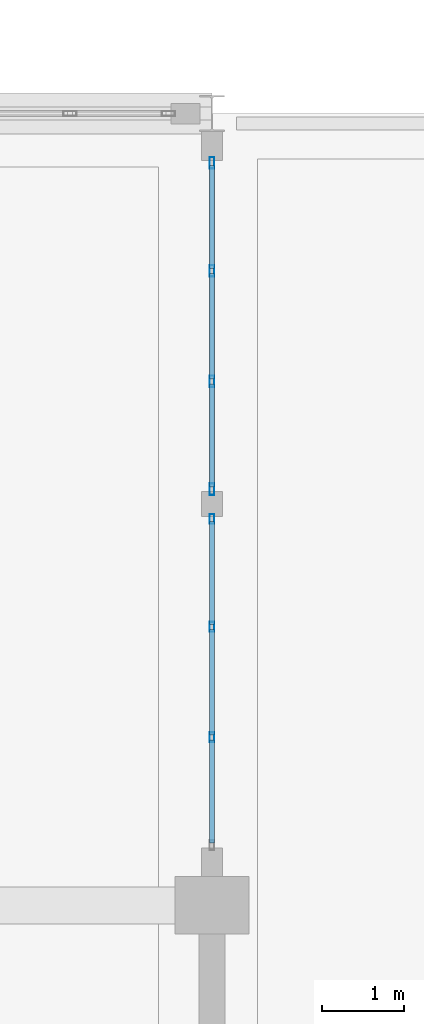
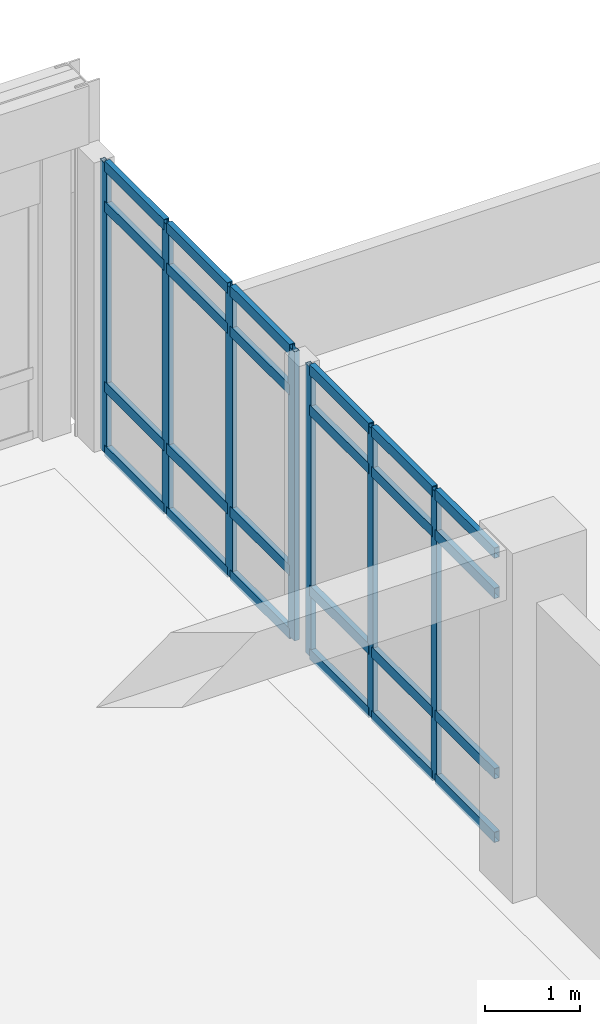
# One storey, part 49 of 80: 31 members, 2 elements without a shape of their own.
"""IFC4 building model written with IfcOpenShell, lengths in metres."""

import ifcopenshell
import ifcopenshell.guid

model = None  # the IFC model being written
_history = None  # IfcOwnerHistory: only IFC2X3 demands one
_inside = {}  # id of a spatial element -> (the spatial element, [elements in it])
_under = {}  # id of a project, library or spatial element -> (it, [spatial elements below it])
_declared = {}  # id of a project -> (the project, [libraries it declares])
_typed = {}  # id of a type object -> (the type object, [elements of that type])
_made_of = {}  # id of a material, layer set ... -> (it, [elements and type objects made of it])


def new_model(schema):
    """Start an empty IFC model of exactly this schema.

    Asked for "IFC4X3", IfcOpenShell would pick the latest addendum, in which some entities
    have other attributes; the version numbers below select the first issue.
    IFC2X3 requires an IfcOwnerHistory on every rooted entity: one is made here for all.
    """
    global model, _history
    if schema == "IFC4X3":
        model = ifcopenshell.file(schema_version=(4, 3, 0, 0))
    else:
        model = ifcopenshell.file(schema=schema)
    _inside.clear()
    _under.clear()
    _declared.clear()
    _typed.clear()
    _made_of.clear()
    _history = None
    if model.schema == "IFC2X3":
        org = make("IfcOrganization", Name="unknown")
        user = make(
            "IfcPersonAndOrganization",
            ThePerson=make("IfcPerson", FamilyName="unknown"),
            TheOrganization=org,
        )
        app = make(
            "IfcApplication",
            ApplicationDeveloper=org,
            Version="unknown",
            ApplicationFullName="unknown",
            ApplicationIdentifier="unknown",
        )
        _history = make(
            "IfcOwnerHistory",
            OwningUser=user,
            OwningApplication=app,
            ChangeAction="ADDED",
            CreationDate=0,
        )
    return model


def make(cls, **values):
    """One entity of the class cls with the attributes given. An attribute that is None is left unset."""
    return model.create_entity(
        cls, **{name: value for name, value in values.items() if value is not None}
    )


def rooted(cls, **values):
    """An entity with a GlobalId (a new one), such as an element, a storey or a relation."""
    return make(cls, GlobalId=ifcopenshell.guid.new(), OwnerHistory=_history, **values)


def si_unit(unit_type, name, prefix=None):
    """IfcSIUnit, for example si_unit("LENGTHUNIT", "METRE", prefix="MILLI")."""
    return make("IfcSIUnit", UnitType=unit_type, Prefix=prefix, Name=name)


def assignment(units):
    """IfcUnitAssignment: the units of a project."""
    return None if units is None else make("IfcUnitAssignment", Units=units)


def point(xyz):
    """IfcCartesianPoint."""
    return None if xyz is None else make("IfcCartesianPoint", Coordinates=xyz)


def direction(xyz):
    """IfcDirection."""
    return None if xyz is None else make("IfcDirection", DirectionRatios=xyz)


def frame(location, z_axis=None, x_axis=None):
    """IfcAxis2Placement3D, a coordinate frame: its origin and axes. An axis left out is left unset."""
    return make(
        "IfcAxis2Placement3D",
        Location=point(location),
        Axis=direction(z_axis),
        RefDirection=direction(x_axis),
    )


def frame_2d(location, x_axis=None):
    """IfcAxis2Placement2D, a coordinate frame in the plane: its origin and x axis."""
    return make(
        "IfcAxis2Placement2D", Location=point(location), RefDirection=direction(x_axis)
    )


def origin():
    """The frame at (0, 0, 0) with its axes left unset."""
    return frame((0.0, 0.0, 0.0))


def origin_2d():
    """The frame at (0, 0) in the plane with its x axis left unset."""
    return frame_2d((0.0, 0.0))


def place(relative_to, where):
    """IfcLocalPlacement: puts the frame where relative to a parent placement (None: the world)."""
    return make(
        "IfcLocalPlacement", PlacementRelTo=relative_to, RelativePlacement=where
    )


def context(
    kind, dimensions, precision=None, world=None, true_north=None, identifier=None
):
    """IfcGeometricRepresentationContext, for example the 3D "Model" context."""
    return make(
        "IfcGeometricRepresentationContext",
        ContextIdentifier=identifier,
        ContextType=kind,
        CoordinateSpaceDimension=dimensions,
        Precision=precision,
        WorldCoordinateSystem=world,
        TrueNorth=true_north,
    )


def subcontext(parent, identifier, kind, view, scale=None):
    """IfcGeometricRepresentationSubContext, for example "Body" below "Model"."""
    return make(
        "IfcGeometricRepresentationSubContext",
        ContextIdentifier=identifier,
        ContextType=kind,
        ParentContext=parent,
        TargetScale=scale,
        TargetView=view,
    )


def project(units=None, contexts=None):
    """IfcProject with its units and contexts."""
    return rooted(
        "IfcProject",
        Name="project",
        RepresentationContexts=contexts,
        UnitsInContext=assignment(units),
    )


def spatial(cls, under=None, at=None, **own):
    """A site, building, storey or space (cls), placed at a placement, below another one or the project."""
    s = rooted(cls, ObjectPlacement=at, **own)
    if under is not None:
        _under.setdefault(under.id(), (under, []))[1].append(s)
    return s


def profile(cls, at=None, kind="AREA", **sizes):
    """A parametric profile (cls). Its sizes go by their IFC names, for example OverallWidth=200.0."""
    return make(cls, ProfileType=kind, Position=at, **sizes)


def hollow_rectangle(**sizes):
    """IfcRectangleHollowProfileDef."""
    return profile("IfcRectangleHollowProfileDef", **sizes)


def extrude(swept, where, along, depth):
    """IfcExtrudedAreaSolid: the profile swept, set in the frame where, extruded along a direction by depth."""
    return make(
        "IfcExtrudedAreaSolid",
        SweptArea=swept,
        Position=where,
        ExtrudedDirection=direction(along),
        Depth=depth,
    )


def shape(context_of_items, identifier, shape_type, items):
    """IfcShapeRepresentation: the items that make up one representation, for example the "Body"."""
    return make(
        "IfcShapeRepresentation",
        ContextOfItems=context_of_items,
        RepresentationIdentifier=identifier,
        RepresentationType=shape_type,
        Items=items,
    )


def material(Name=None, Category=None):
    """IfcMaterial."""
    return make("IfcMaterial", Name=Name, Category=Category)


def layer(
    of_material, thickness, ventilated=None, Name=None, Category=None, Priority=None
):
    """IfcMaterialLayer: one layer of a wall or slab, of a material (None: an air gap)."""
    return make(
        "IfcMaterialLayer",
        Material=of_material,
        LayerThickness=thickness,
        IsVentilated=ventilated,
        Name=Name,
        Category=Category,
        Priority=Priority,
    )


def layer_set(layers, Name=None):
    """IfcMaterialLayerSet."""
    return make("IfcMaterialLayerSet", MaterialLayers=layers, LayerSetName=Name)


def material_profile(
    of_material, cross_section, Name=None, Category=None, Priority=None
):
    """IfcMaterialProfile: a cross section and its material."""
    return make(
        "IfcMaterialProfile",
        Name=Name,
        Material=of_material,
        Profile=cross_section,
        Priority=Priority,
        Category=Category,
    )


def profile_set(profiles, Name=None, composite=None):
    """IfcMaterialProfileSet."""
    return make(
        "IfcMaterialProfileSet",
        Name=Name,
        MaterialProfiles=profiles,
        CompositeProfile=composite,
    )


def made_of(thing, what):
    """Note that an element or type object is made of a material, layer set ...; save() writes the relation."""
    if what is not None:
        _made_of.setdefault(what.id(), (what, []))[1].append(thing)
    return thing


def type_object(cls, material=None, **own):
    """A type object (cls), such as IfcWallType, which elements share."""
    return made_of(rooted(cls, **own), material)


def element(
    cls,
    number,
    at=None,
    inside=None,
    cuts=None,
    type_object=None,
    material=None,
    context=None,
    identifier="Body",
    shape_type=None,
    held_by="IfcProductDefinitionShape",
    body=None,
    shapes=None,
    **own,
):
    """One element of the class cls, such as IfcWall. Its Tag is "e" and its number.

    at: its placement. inside: the storey or other place that contains it. cuts: it is an
    opening in that element (IfcRelVoidsElement). A single representation is given by context,
    identifier, shape_type and body (its items); several are given by shapes. held_by: the class
    of the entity that holds the representations. save() writes the other relations.
    """
    e = rooted(cls, Tag="e%d" % number, ObjectPlacement=at, **own)
    if body is not None:
        shapes = [shape(context, identifier, shape_type, body)]
    if shapes is not None:
        e.Representation = make(held_by, Representations=shapes)
    if inside is not None:
        _inside.setdefault(inside.id(), (inside, []))[1].append(e)
    if cuts is not None:
        rooted(
            "IfcRelVoidsElement", RelatingBuildingElement=cuts, RelatedOpeningElement=e
        )
    if type_object is not None:
        _typed.setdefault(type_object.id(), (type_object, []))[1].append(e)
    return made_of(e, material)


def aggregate(whole, parts):
    """IfcRelAggregates: a whole, such as a stair, and the parts it consists of."""
    return rooted("IfcRelAggregates", RelatingObject=whole, RelatedObjects=parts)


def save(model, path):
    """Write the relations noted so far, then the file.

    IfcRelAggregates (storeys below a building ...), IfcRelContainedInSpatialStructure (elements
    in a storey), IfcRelDefinesByType, IfcRelAssociatesMaterial and IfcRelDeclares: one each for
    every whole, place, type object, material and project.
    """
    for whole, parts in _under.values():
        aggregate(whole, parts)
    for where, things in _inside.values():
        rooted(
            "IfcRelContainedInSpatialStructure",
            RelatedElements=things,
            RelatingStructure=where,
        )
    for kind, things in _typed.values():
        rooted("IfcRelDefinesByType", RelatedObjects=things, RelatingType=kind)
    for what, things in _made_of.values():
        rooted("IfcRelAssociatesMaterial", RelatedObjects=things, RelatingMaterial=what)
    for by, libraries in _declared.values():
        rooted("IfcRelDeclares", RelatingContext=by, RelatedDefinitions=libraries)
    model.write(path)


model = new_model("IFC4")

# Units and contexts
model_context = context("Model", 3, precision=1e-05, world=origin(), true_north=direction((0.0, 1.0)))
body_context = subcontext(model_context, "Body", "Model", "MODEL_VIEW")
ifc_project = project(units=[si_unit("LENGTHUNIT", "METRE"), si_unit("AREAUNIT", "SQUARE_METRE"), si_unit("VOLUMEUNIT", "CUBIC_METRE"), si_unit("PLANEANGLEUNIT", "RADIAN"), si_unit("MASSUNIT", "GRAM", prefix="KILO")], contexts=[model_context])

# Site, building, storey
site_placement = place(None, origin())
site = spatial("IfcSite", under=ifc_project, at=site_placement, CompositionType="ELEMENT")
building_placement = place(site_placement, origin())
building = spatial("IfcBuilding", under=site, at=building_placement, Name="Fikremerkos Civic Library", CompositionType="ELEMENT")
storey_placement = place(building_placement, frame((0.0, 0.0, 9.89990234375)))
storey = spatial("IfcBuildingStorey", under=building, at=storey_placement, Name="L02", CompositionType="ELEMENT", Elevation=9.89990234375)

# Curtain wall, members
ifc_material = material(Name="Anodized aluminium Frame", Category="aluminium")
ifc_layer_1 = layer(ifc_material, 0.159912109375, Name="Anodized aluminium Frame")
ifc_layer_set_1 = layer_set([ifc_layer_1], Name="Anodized aluminium Frame")
curtain_wall_type_1 = type_object("IfcCurtainWallType", Name="Unitised curtain wall CW-03 4100x3600", PredefinedType="USERDEFINED", material=ifc_layer_set_1)
curtain_wall_1_placement = place(storey_placement, origin())
curtain_wall_1 = element("IfcCurtainWall", 1, at=curtain_wall_1_placement, inside=storey, type_object=curtain_wall_type_1, Name="Unitised curtain wall CW-03 L02 #183", ObjectType="UNITISED CURTAIN WALL", PredefinedType="USERDEFINED")
ifc_material_profile_1 = material_profile(ifc_material, hollow_rectangle(XDim=0.06005859375, YDim=0.139892578125, WallThickness=0.00390625, at=origin_2d()), Name="ALU 140x60x4")
ifc_profile_set_1 = profile_set([ifc_material_profile_1], Name="Anodized aluminium Frame")
member_type_1 = type_object("IfcMemberType", Name="Curtain mullion CWM-03 ALU 140x60x4", PredefinedType="MULLION", material=ifc_profile_set_1)
member_1_placement = place(storey_placement, frame((160.0, 40.201904296875, 0.0), z_axis=(0.0, 0.0, 1.0), x_axis=(1.0, 0.0, 0.0)))
member_1 = element("IfcMember", 2, at=member_1_placement, type_object=member_type_1, Name="CW-03 mullion 1", PredefinedType="MULLION", context=body_context, shape_type="SweptSolid", body=[
    extrude(hollow_rectangle(XDim=0.06005859375, YDim=0.139892578125, WallThickness=0.00390625, at=origin_2d()), origin(), (0.0, 0.0, 1.0), 3.72021484375),
])
member_2_placement = place(storey_placement, frame((160.0, 38.89306640625, 0.0), z_axis=(0.0, 0.0, 1.0), x_axis=(1.0, 0.0, 0.0)))
member_2 = element("IfcMember", 3, at=member_2_placement, type_object=member_type_1, Name="CW-03 mullion 2", PredefinedType="MULLION", context=body_context, shape_type="SweptSolid", body=[
    extrude(hollow_rectangle(XDim=0.06005859375, YDim=0.139892578125, WallThickness=0.00390625, at=origin_2d()), origin(), (0.0, 0.0, 1.0), 3.72021484375),
])
member_3_placement = place(storey_placement, frame((160.0, 37.553955078125, 0.0), z_axis=(0.0, 0.0, 1.0), x_axis=(1.0, 0.0, 0.0)))
member_3 = element("IfcMember", 4, at=member_3_placement, type_object=member_type_1, Name="CW-03 mullion 3", PredefinedType="MULLION", context=body_context, shape_type="SweptSolid", body=[
    extrude(hollow_rectangle(XDim=0.06005859375, YDim=0.139892578125, WallThickness=0.00390625, at=origin_2d()), origin(), (0.0, 0.0, 1.0), 3.72021484375),
])
member_4_placement = place(storey_placement, frame((160.0, 36.2451171875, 0.0), z_axis=(0.0, 0.0, 1.0), x_axis=(1.0, 0.0, 0.0)))
member_4 = element("IfcMember", 5, at=member_4_placement, type_object=member_type_1, Name="CW-03 mullion 4", PredefinedType="MULLION", context=body_context, shape_type="SweptSolid", body=[
    extrude(hollow_rectangle(XDim=0.06005859375, YDim=0.139892578125, WallThickness=0.00390625, at=origin_2d()), origin(), (0.0, 0.0, 1.0), 3.72021484375),
])

ifc_layer_2 = layer(ifc_material, 0.159912109375, Name="Anodized aluminium Frame")
ifc_layer_set_2 = layer_set([ifc_layer_2], Name="Anodized aluminium Frame")
curtain_wall_type_2 = type_object("IfcCurtainWallType", Name="Unitised curtain wall CW-04 3400x3600", PredefinedType="USERDEFINED", material=ifc_layer_set_2)
curtain_wall_2_placement = place(storey_placement, origin())
curtain_wall_2 = element("IfcCurtainWall", 6, at=curtain_wall_2_placement, inside=storey, type_object=curtain_wall_type_2, Name="Unitised curtain wall CW-04 L02 #184", ObjectType="UNITISED CURTAIN WALL", PredefinedType="USERDEFINED")
ifc_material_profile_2 = material_profile(ifc_material, hollow_rectangle(XDim=0.06005859375, YDim=0.1201171875, WallThickness=0.00390625, at=origin_2d()), Name="ALU 120x60x4")
ifc_profile_set_2 = profile_set([ifc_material_profile_2], Name="Anodized aluminium Frame")
member_type_2 = type_object("IfcMemberType", Name="Curtain mullion CWM-04 ALU 120x60x4", PredefinedType="MULLION", material=ifc_profile_set_2)
member_5_placement = place(storey_placement, frame((160.0, 35.885009765625, 0.0), z_axis=(0.0, 0.0, 1.0), x_axis=(1.0, 0.0, 0.0)))
member_5 = element("IfcMember", 7, at=member_5_placement, type_object=member_type_2, Name="CW-04 mullion 1", PredefinedType="MULLION", context=body_context, shape_type="SweptSolid", body=[
    extrude(hollow_rectangle(XDim=0.06005859375, YDim=0.1201171875, WallThickness=0.00390625, at=origin_2d()), origin(), (0.0, 0.0, 1.0), 3.72021484375),
])
member_6_placement = place(storey_placement, frame((160.0, 34.575927734375, 0.0), z_axis=(0.0, 0.0, 1.0), x_axis=(1.0, 0.0, 0.0)))
member_6 = element("IfcMember", 8, at=member_6_placement, type_object=member_type_2, Name="CW-04 mullion 2", PredefinedType="MULLION", context=body_context, shape_type="SweptSolid", body=[
    extrude(hollow_rectangle(XDim=0.06005859375, YDim=0.1201171875, WallThickness=0.00390625, at=origin_2d()), origin(), (0.0, 0.0, 1.0), 3.72021484375),
])
member_7_placement = place(storey_placement, frame((160.0, 33.237060546875, 0.0), z_axis=(0.0, 0.0, 1.0), x_axis=(1.0, 0.0, 0.0)))
member_7 = element("IfcMember", 9, at=member_7_placement, type_object=member_type_2, Name="CW-04 mullion 3", PredefinedType="MULLION", context=body_context, shape_type="SweptSolid", body=[
    extrude(hollow_rectangle(XDim=0.06005859375, YDim=0.1201171875, WallThickness=0.00390625, at=origin_2d()), origin(), (0.0, 0.0, 1.0), 3.72021484375),
])

# Member
ifc_material_profile_3 = material_profile(ifc_material, hollow_rectangle(XDim=0.06494140625, YDim=0.135009765625, WallThickness=0.00439453125, at=origin_2d()), Name="ALU 135x65x4.5")
ifc_profile_set_3 = profile_set([ifc_material_profile_3], Name="Anodized aluminium Frame")
member_type_3 = type_object("IfcMemberType", Name="Curtain transom CWT-02 ALU 135x65x4.5", PredefinedType="USERDEFINED", material=ifc_profile_set_3)
member_8_placement = place(storey_placement, frame((160.0, 40.172119140625, 0.03271484375), z_axis=(0.0, -1.0, 0.0), x_axis=(1.0, 0.0, 0.0)))
member_8 = element("IfcMember", 10, at=member_8_placement, type_object=member_type_3, Name="CW-03 transom 1.1", ObjectType="TRANSOM", PredefinedType="USERDEFINED", context=body_context, shape_type="SweptSolid", body=[
    extrude(hollow_rectangle(XDim=0.06494140625, YDim=0.135009765625, WallThickness=0.00439453125, at=origin_2d()), origin(), (0.0, 0.0, 1.0), 1.2490234375),
])

member_9_placement = place(storey_placement, frame((160.0, 40.172119140625, 0.85009765625), z_axis=(0.0, -1.0, 0.0), x_axis=(1.0, 0.0, 0.0)))
member_9 = element("IfcMember", 11, at=member_9_placement, type_object=member_type_3, Name="CW-03 transom 1.2", ObjectType="TRANSOM", PredefinedType="USERDEFINED", context=body_context, shape_type="SweptSolid", body=[
    extrude(hollow_rectangle(XDim=0.06494140625, YDim=0.135009765625, WallThickness=0.00439453125, at=origin_2d()), origin(), (0.0, 0.0, 1.0), 1.2490234375),
])

member_10_placement = place(storey_placement, frame((160.0, 40.172119140625, 3.170166015625), z_axis=(0.0, -1.0, 0.0), x_axis=(1.0, 0.0, 0.0)))
member_10 = element("IfcMember", 12, at=member_10_placement, type_object=member_type_3, Name="CW-03 transom 1.3", ObjectType="TRANSOM", PredefinedType="USERDEFINED", context=body_context, shape_type="SweptSolid", body=[
    extrude(hollow_rectangle(XDim=0.06494140625, YDim=0.135009765625, WallThickness=0.00439453125, at=origin_2d()), origin(), (0.0, 0.0, 1.0), 1.2490234375),
])

member_11_placement = place(storey_placement, frame((160.0, 40.172119140625, 3.6875), z_axis=(0.0, -1.0, 0.0), x_axis=(1.0, 0.0, 0.0)))
member_11 = element("IfcMember", 13, at=member_11_placement, type_object=member_type_3, Name="CW-03 transom 1.4", ObjectType="TRANSOM", PredefinedType="USERDEFINED", context=body_context, shape_type="SweptSolid", body=[
    extrude(hollow_rectangle(XDim=0.06494140625, YDim=0.135009765625, WallThickness=0.00439453125, at=origin_2d()), origin(), (0.0, 0.0, 1.0), 1.2490234375),
])

member_12_placement = place(storey_placement, frame((160.0, 38.863037109375, 0.03271484375), z_axis=(0.0, -1.0, 0.0), x_axis=(1.0, 0.0, 0.0)))
member_12 = element("IfcMember", 14, at=member_12_placement, type_object=member_type_3, Name="CW-03 transom 2.1", ObjectType="TRANSOM", PredefinedType="USERDEFINED", context=body_context, shape_type="SweptSolid", body=[
    extrude(hollow_rectangle(XDim=0.06494140625, YDim=0.135009765625, WallThickness=0.00439453125, at=origin_2d()), origin(), (0.0, 0.0, 1.0), 1.279052734375),
])

member_13_placement = place(storey_placement, frame((160.0, 38.863037109375, 0.85009765625), z_axis=(0.0, -1.0, 0.0), x_axis=(1.0, 0.0, 0.0)))
member_13 = element("IfcMember", 15, at=member_13_placement, type_object=member_type_3, Name="CW-03 transom 2.2", ObjectType="TRANSOM", PredefinedType="USERDEFINED", context=body_context, shape_type="SweptSolid", body=[
    extrude(hollow_rectangle(XDim=0.06494140625, YDim=0.135009765625, WallThickness=0.00439453125, at=origin_2d()), origin(), (0.0, 0.0, 1.0), 1.279052734375),
])

member_14_placement = place(storey_placement, frame((160.0, 38.863037109375, 3.170166015625), z_axis=(0.0, -1.0, 0.0), x_axis=(1.0, 0.0, 0.0)))
member_14 = element("IfcMember", 16, at=member_14_placement, type_object=member_type_3, Name="CW-03 transom 2.3", ObjectType="TRANSOM", PredefinedType="USERDEFINED", context=body_context, shape_type="SweptSolid", body=[
    extrude(hollow_rectangle(XDim=0.06494140625, YDim=0.135009765625, WallThickness=0.00439453125, at=origin_2d()), origin(), (0.0, 0.0, 1.0), 1.279052734375),
])

member_15_placement = place(storey_placement, frame((160.0, 38.863037109375, 3.6875), z_axis=(0.0, -1.0, 0.0), x_axis=(1.0, 0.0, 0.0)))
member_15 = element("IfcMember", 17, at=member_15_placement, type_object=member_type_3, Name="CW-03 transom 2.4", ObjectType="TRANSOM", PredefinedType="USERDEFINED", context=body_context, shape_type="SweptSolid", body=[
    extrude(hollow_rectangle(XDim=0.06494140625, YDim=0.135009765625, WallThickness=0.00439453125, at=origin_2d()), origin(), (0.0, 0.0, 1.0), 1.279052734375),
])

member_16_placement = place(storey_placement, frame((160.0, 37.52392578125, 0.03271484375), z_axis=(0.0, -1.0, 0.0), x_axis=(1.0, 0.0, 0.0)))
member_16 = element("IfcMember", 18, at=member_16_placement, type_object=member_type_3, Name="CW-03 transom 3.1", ObjectType="TRANSOM", PredefinedType="USERDEFINED", context=body_context, shape_type="SweptSolid", body=[
    extrude(hollow_rectangle(XDim=0.06494140625, YDim=0.135009765625, WallThickness=0.00439453125, at=origin_2d()), origin(), (0.0, 0.0, 1.0), 1.2490234375),
])

member_17_placement = place(storey_placement, frame((160.0, 37.52392578125, 0.85009765625), z_axis=(0.0, -1.0, 0.0), x_axis=(1.0, 0.0, 0.0)))
member_17 = element("IfcMember", 19, at=member_17_placement, type_object=member_type_3, Name="CW-03 transom 3.2", ObjectType="TRANSOM", PredefinedType="USERDEFINED", context=body_context, shape_type="SweptSolid", body=[
    extrude(hollow_rectangle(XDim=0.06494140625, YDim=0.135009765625, WallThickness=0.00439453125, at=origin_2d()), origin(), (0.0, 0.0, 1.0), 1.2490234375),
])

member_18_placement = place(storey_placement, frame((160.0, 37.52392578125, 3.170166015625), z_axis=(0.0, -1.0, 0.0), x_axis=(1.0, 0.0, 0.0)))
member_18 = element("IfcMember", 20, at=member_18_placement, type_object=member_type_3, Name="CW-03 transom 3.3", ObjectType="TRANSOM", PredefinedType="USERDEFINED", context=body_context, shape_type="SweptSolid", body=[
    extrude(hollow_rectangle(XDim=0.06494140625, YDim=0.135009765625, WallThickness=0.00439453125, at=origin_2d()), origin(), (0.0, 0.0, 1.0), 1.2490234375),
])

member_19_placement = place(storey_placement, frame((160.0, 37.52392578125, 3.6875), z_axis=(0.0, -1.0, 0.0), x_axis=(1.0, 0.0, 0.0)))
member_19 = element("IfcMember", 21, at=member_19_placement, type_object=member_type_3, Name="CW-03 transom 3.4", ObjectType="TRANSOM", PredefinedType="USERDEFINED", context=body_context, shape_type="SweptSolid", body=[
    extrude(hollow_rectangle(XDim=0.06494140625, YDim=0.135009765625, WallThickness=0.00439453125, at=origin_2d()), origin(), (0.0, 0.0, 1.0), 1.2490234375),
])

aggregate(curtain_wall_1, [member_1, member_2, member_3, member_4, member_8, member_9, member_10, member_11, member_12, member_13, member_14, member_15, member_16, member_17, member_18, member_19])

member_20_placement = place(storey_placement, frame((160.0, 35.85498046875, 0.03271484375), z_axis=(0.0, -1.0, 0.0), x_axis=(1.0, 0.0, 0.0)))
member_20 = element("IfcMember", 22, at=member_20_placement, type_object=member_type_3, Name="CW-04 transom 1.1", ObjectType="TRANSOM", PredefinedType="USERDEFINED", context=body_context, shape_type="SweptSolid", body=[
    extrude(hollow_rectangle(XDim=0.06494140625, YDim=0.135009765625, WallThickness=0.00439453125, at=origin_2d()), origin(), (0.0, 0.0, 1.0), 1.2490234375),
])

member_21_placement = place(storey_placement, frame((160.0, 35.85498046875, 0.85009765625), z_axis=(0.0, -1.0, 0.0), x_axis=(1.0, 0.0, 0.0)))
member_21 = element("IfcMember", 23, at=member_21_placement, type_object=member_type_3, Name="CW-04 transom 1.2", ObjectType="TRANSOM", PredefinedType="USERDEFINED", context=body_context, shape_type="SweptSolid", body=[
    extrude(hollow_rectangle(XDim=0.06494140625, YDim=0.135009765625, WallThickness=0.00439453125, at=origin_2d()), origin(), (0.0, 0.0, 1.0), 1.2490234375),
])

member_22_placement = place(storey_placement, frame((160.0, 35.85498046875, 3.170166015625), z_axis=(0.0, -1.0, 0.0), x_axis=(1.0, 0.0, 0.0)))
member_22 = element("IfcMember", 24, at=member_22_placement, type_object=member_type_3, Name="CW-04 transom 1.3", ObjectType="TRANSOM", PredefinedType="USERDEFINED", context=body_context, shape_type="SweptSolid", body=[
    extrude(hollow_rectangle(XDim=0.06494140625, YDim=0.135009765625, WallThickness=0.00439453125, at=origin_2d()), origin(), (0.0, 0.0, 1.0), 1.2490234375),
])

member_23_placement = place(storey_placement, frame((160.0, 35.85498046875, 3.6875), z_axis=(0.0, -1.0, 0.0), x_axis=(1.0, 0.0, 0.0)))
member_23 = element("IfcMember", 25, at=member_23_placement, type_object=member_type_3, Name="CW-04 transom 1.4", ObjectType="TRANSOM", PredefinedType="USERDEFINED", context=body_context, shape_type="SweptSolid", body=[
    extrude(hollow_rectangle(XDim=0.06494140625, YDim=0.135009765625, WallThickness=0.00439453125, at=origin_2d()), origin(), (0.0, 0.0, 1.0), 1.2490234375),
])

member_24_placement = place(storey_placement, frame((160.0, 34.5458984375, 0.03271484375), z_axis=(0.0, -1.0, 0.0), x_axis=(1.0, 0.0, 0.0)))
member_24 = element("IfcMember", 26, at=member_24_placement, type_object=member_type_3, Name="CW-04 transom 2.1", ObjectType="TRANSOM", PredefinedType="USERDEFINED", context=body_context, shape_type="SweptSolid", body=[
    extrude(hollow_rectangle(XDim=0.06494140625, YDim=0.135009765625, WallThickness=0.00439453125, at=origin_2d()), origin(), (0.0, 0.0, 1.0), 1.27880859375),
])

member_25_placement = place(storey_placement, frame((160.0, 34.5458984375, 0.85009765625), z_axis=(0.0, -1.0, 0.0), x_axis=(1.0, 0.0, 0.0)))
member_25 = element("IfcMember", 27, at=member_25_placement, type_object=member_type_3, Name="CW-04 transom 2.2", ObjectType="TRANSOM", PredefinedType="USERDEFINED", context=body_context, shape_type="SweptSolid", body=[
    extrude(hollow_rectangle(XDim=0.06494140625, YDim=0.135009765625, WallThickness=0.00439453125, at=origin_2d()), origin(), (0.0, 0.0, 1.0), 1.27880859375),
])

member_26_placement = place(storey_placement, frame((160.0, 34.5458984375, 3.170166015625), z_axis=(0.0, -1.0, 0.0), x_axis=(1.0, 0.0, 0.0)))
member_26 = element("IfcMember", 28, at=member_26_placement, type_object=member_type_3, Name="CW-04 transom 2.3", ObjectType="TRANSOM", PredefinedType="USERDEFINED", context=body_context, shape_type="SweptSolid", body=[
    extrude(hollow_rectangle(XDim=0.06494140625, YDim=0.135009765625, WallThickness=0.00439453125, at=origin_2d()), origin(), (0.0, 0.0, 1.0), 1.27880859375),
])

member_27_placement = place(storey_placement, frame((160.0, 34.5458984375, 3.6875), z_axis=(0.0, -1.0, 0.0), x_axis=(1.0, 0.0, 0.0)))
member_27 = element("IfcMember", 29, at=member_27_placement, type_object=member_type_3, Name="CW-04 transom 2.4", ObjectType="TRANSOM", PredefinedType="USERDEFINED", context=body_context, shape_type="SweptSolid", body=[
    extrude(hollow_rectangle(XDim=0.06494140625, YDim=0.135009765625, WallThickness=0.00439453125, at=origin_2d()), origin(), (0.0, 0.0, 1.0), 1.27880859375),
])

member_28_placement = place(storey_placement, frame((160.0, 33.20703125, 0.03271484375), z_axis=(0.0, -1.0, 0.0), x_axis=(1.0, 0.0, 0.0)))
member_28 = element("IfcMember", 30, at=member_28_placement, type_object=member_type_3, Name="CW-04 transom 3.1", ObjectType="TRANSOM", PredefinedType="USERDEFINED", context=body_context, shape_type="SweptSolid", body=[
    extrude(hollow_rectangle(XDim=0.06494140625, YDim=0.135009765625, WallThickness=0.00439453125, at=origin_2d()), origin(), (0.0, 0.0, 1.0), 1.2490234375),
])

member_29_placement = place(storey_placement, frame((160.0, 33.20703125, 0.85009765625), z_axis=(0.0, -1.0, 0.0), x_axis=(1.0, 0.0, 0.0)))
member_29 = element("IfcMember", 31, at=member_29_placement, type_object=member_type_3, Name="CW-04 transom 3.2", ObjectType="TRANSOM", PredefinedType="USERDEFINED", context=body_context, shape_type="SweptSolid", body=[
    extrude(hollow_rectangle(XDim=0.06494140625, YDim=0.135009765625, WallThickness=0.00439453125, at=origin_2d()), origin(), (0.0, 0.0, 1.0), 1.2490234375),
])

member_30_placement = place(storey_placement, frame((160.0, 33.20703125, 3.170166015625), z_axis=(0.0, -1.0, 0.0), x_axis=(1.0, 0.0, 0.0)))
member_30 = element("IfcMember", 32, at=member_30_placement, type_object=member_type_3, Name="CW-04 transom 3.3", ObjectType="TRANSOM", PredefinedType="USERDEFINED", context=body_context, shape_type="SweptSolid", body=[
    extrude(hollow_rectangle(XDim=0.06494140625, YDim=0.135009765625, WallThickness=0.00439453125, at=origin_2d()), origin(), (0.0, 0.0, 1.0), 1.2490234375),
])

member_31_placement = place(storey_placement, frame((160.0, 33.20703125, 3.6875), z_axis=(0.0, -1.0, 0.0), x_axis=(1.0, 0.0, 0.0)))
member_31 = element("IfcMember", 33, at=member_31_placement, type_object=member_type_3, Name="CW-04 transom 3.4", ObjectType="TRANSOM", PredefinedType="USERDEFINED", context=body_context, shape_type="SweptSolid", body=[
    extrude(hollow_rectangle(XDim=0.06494140625, YDim=0.135009765625, WallThickness=0.00439453125, at=origin_2d()), origin(), (0.0, 0.0, 1.0), 1.2490234375),
])

aggregate(curtain_wall_2, [member_5, member_6, member_7, member_20, member_21, member_22, member_23, member_24, member_25, member_26, member_27, member_28, member_29, member_30, member_31])

save(model, "model.ifc")
